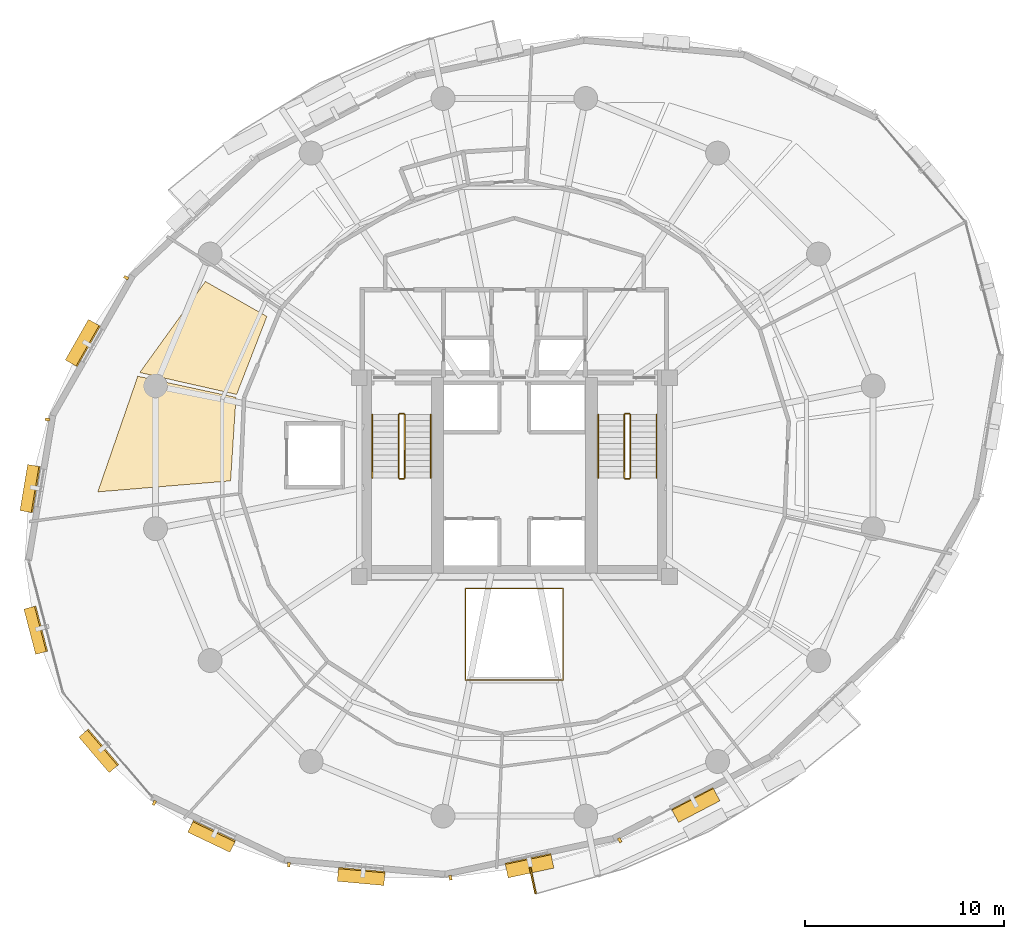
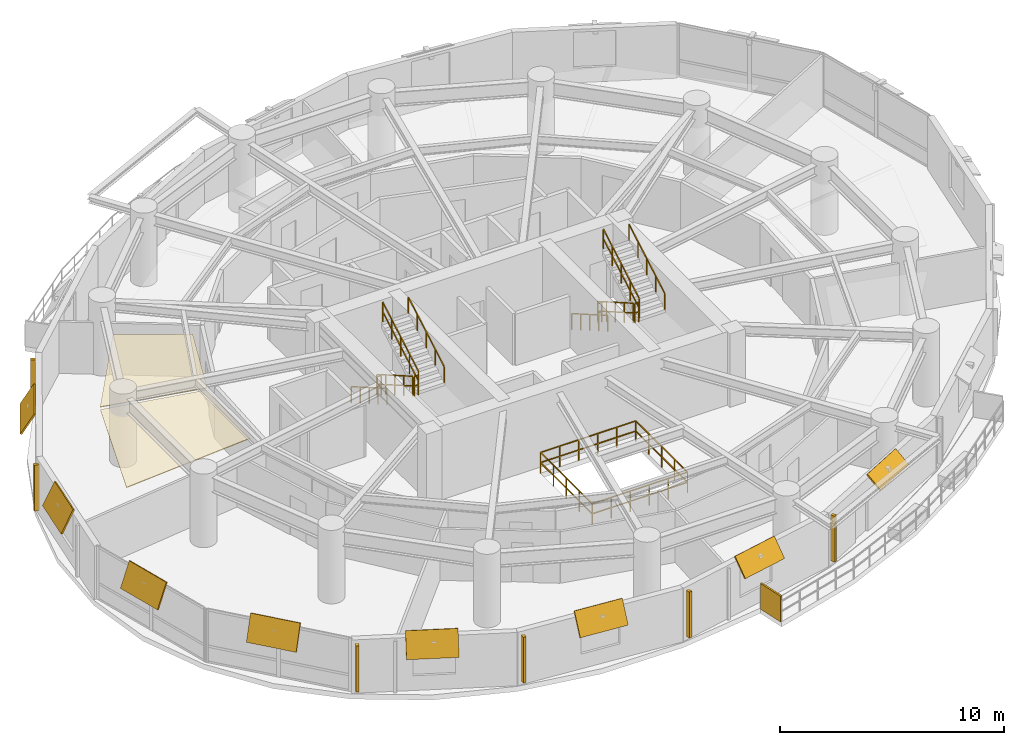
# One storey, part 13 of 14: 15 shading devices, 13 railings, 2 coverings.
"""IFC4 building model written with IfcOpenShell, lengths in metres."""

from ifc_helpers import new_model, si_unit, direction, frame, origin, origin_2d, place, context, subcontext, project, spatial, polyline, rectangle, outline, extrude, material, layer, layer_set, type_object, element, save


model = new_model("IFC4")

# Units and contexts
model_context = context("Model", 3, precision=1e-05, world=origin(), true_north=direction((0.0, 1.0)))
body_context = subcontext(model_context, "Body", "Model", "MODEL_VIEW")
ifc_project = project(units=[si_unit("LENGTHUNIT", "METRE"), si_unit("AREAUNIT", "SQUARE_METRE"), si_unit("VOLUMEUNIT", "CUBIC_METRE"), si_unit("PLANEANGLEUNIT", "RADIAN"), si_unit("MASSUNIT", "GRAM", prefix="KILO"), si_unit("THERMODYNAMICTEMPERATUREUNIT", "KELVIN"), si_unit("POWERUNIT", "WATT")], contexts=[model_context])

# Site, building, storey
site_placement = place(None, origin())
site = spatial("IfcSite", under=ifc_project, at=site_placement, CompositionType="ELEMENT")
building_placement = place(site_placement, origin())
building = spatial("IfcBuilding", under=site, at=building_placement, Name="Ocrelia Relay Tower", CompositionType="ELEMENT")
storey_placement = place(building_placement, frame((0.0, 0.0, 149.800048828125)))
storey = spatial("IfcBuildingStorey", under=building, at=storey_placement, Name="L35", CompositionType="ELEMENT", Elevation=149.800048828125)

# Coverings
ifc_material_1 = material(Name="Cleanroom metal-pan acoustic ceiling", Category="aluminium")
ifc_layer_1 = layer(ifc_material_1, 0.0400390625, Name="Cleanroom metal-pan acoustic ceiling")
ifc_layer_set_1 = layer_set([ifc_layer_1], Name="Cleanroom metal-pan acoustic ceiling")
covering_type = type_object("IfcCoveringType", Name="COV-CEIL-CLEAN", PredefinedType="CEILING", material=ifc_layer_set_1)
covering_1_placement = place(storey_placement, frame((0.0, 0.0, 2.719970703125)))
element("IfcCovering", 1, at=covering_1_placement, inside=storey, type_object=covering_type, Name="L35 Optical Switching Hall A Suspended Ceiling 1", PredefinedType="CEILING", context=body_context, shape_type="SweptSolid", body=[
    extrude(outline(polyline([(21.554931640625, 33.083984375), (18.46337890625, 34.843994140625), (15.160400390625, 30.262939453125), (20.033203125, 29.160400390625), (21.554931640625, 33.083984375)])), origin(), (0.0, 0.0, 1.0), 0.0400390625),
])
covering_2_placement = place(storey_placement, frame((0.0, 0.0, 2.719970703125)))
element("IfcCovering", 2, at=covering_2_placement, inside=storey, type_object=covering_type, Name="L35 Optical Switching Hall A Suspended Ceiling 2", PredefinedType="CEILING", context=body_context, shape_type="SweptSolid", body=[
    extrude(outline(polyline([(20.000732421875, 29.013916015625), (15.06005859375, 30.07763671875), (13.050048828125, 24.25927734375), (19.729248046875, 24.814208984375), (20.000732421875, 29.013916015625)])), origin(), (0.0, 0.0, 1.0), 0.0400390625),
])

# Railings
ifc_material_2 = material(Name="Steel S355 atrium balustrade", Category="steel")
railing_type_1 = type_object("IfcRailingType", Name="RL-INT-GUARD-115", PredefinedType="GUARDRAIL", material=ifc_material_2)
railing_1_placement = place(storey_placement, frame((31.550048828125, 14.800048828125, 0.0)))
element("IfcRailing", 3, at=railing_1_placement, inside=storey, type_object=railing_type_1, Name="L35 Multi-Zone Interior Atrium Guard", PredefinedType="GUARDRAIL", context=body_context, shape_type="SweptSolid", body=[
    extrude(rectangle(XDim=0.048095703125, YDim=0.048095703125, at=origin_2d()), frame((0.0, 0.0, 1.1259765625), z_axis=(1.0, 0.0, 0.0), x_axis=(0.0, 1.0, 0.0)), (0.0, 0.0, 1.0), 4.89990234375),
    extrude(rectangle(XDim=0.048095703125, YDim=0.048095703125, at=origin_2d()), frame((0.0, 0.0, 0.574951171875), z_axis=(1.0, 0.0, 0.0), x_axis=(0.0, 1.0, 0.0)), (0.0, 0.0, 1.0), 4.89990234375),
    extrude(rectangle(XDim=0.048095703125, YDim=0.048095703125, at=origin_2d()), frame((4.89990234375, 0.0, 1.1259765625), z_axis=(0.0, 1.0, 0.0), x_axis=(-1.0, 0.0, 0.0)), (0.0, 0.0, 1.0), 4.599853515625),
    extrude(rectangle(XDim=0.048095703125, YDim=0.048095703125, at=origin_2d()), frame((4.89990234375, 0.0, 0.574951171875), z_axis=(0.0, 1.0, 0.0), x_axis=(-1.0, 0.0, 0.0)), (0.0, 0.0, 1.0), 4.599853515625),
    extrude(rectangle(XDim=0.048095703125, YDim=0.048095703125, at=origin_2d()), frame((4.89990234375, 4.599853515625, 1.1259765625), z_axis=(-1.0, 0.0, 0.0), x_axis=(0.0, -1.0, 0.0)), (0.0, 0.0, 1.0), 4.89990234375),
    extrude(rectangle(XDim=0.048095703125, YDim=0.048095703125, at=origin_2d()), frame((4.89990234375, 4.599853515625, 0.574951171875), z_axis=(-1.0, 0.0, 0.0), x_axis=(0.0, -1.0, 0.0)), (0.0, 0.0, 1.0), 4.89990234375),
    extrude(rectangle(XDim=0.048095703125, YDim=0.048095703125, at=origin_2d()), frame((0.0, 4.599853515625, 1.1259765625), z_axis=(0.0, -1.0, 0.0), x_axis=(1.0, 0.0, 0.0)), (0.0, 0.0, 1.0), 4.599853515625),
    extrude(rectangle(XDim=0.048095703125, YDim=0.048095703125, at=origin_2d()), frame((0.0, 4.599853515625, 0.574951171875), z_axis=(0.0, -1.0, 0.0), x_axis=(1.0, 0.0, 0.0)), (0.0, 0.0, 1.0), 4.599853515625),
    extrude(rectangle(XDim=0.0419921875, YDim=0.0419921875, at=origin_2d()), origin(), (0.0, 0.0, 1.0), 1.101806640625),
    extrude(rectangle(XDim=0.0419921875, YDim=0.0419921875, at=origin_2d()), frame((0.97998046875, 0.0, 0.0)), (0.0, 0.0, 1.0), 1.101806640625),
    extrude(rectangle(XDim=0.0419921875, YDim=0.0419921875, at=origin_2d()), frame((1.9599609375, 0.0, 0.0)), (0.0, 0.0, 1.0), 1.101806640625),
    extrude(rectangle(XDim=0.0419921875, YDim=0.0419921875, at=origin_2d()), frame((2.93994140625, 0.0, 0.0)), (0.0, 0.0, 1.0), 1.101806640625),
    extrude(rectangle(XDim=0.0419921875, YDim=0.0419921875, at=origin_2d()), frame((3.919921875, 0.0, 0.0)), (0.0, 0.0, 1.0), 1.101806640625),
    extrude(rectangle(XDim=0.0419921875, YDim=0.0419921875, at=origin_2d()), frame((4.89990234375, 0.0, 0.0)), (0.0, 0.0, 1.0), 1.101806640625),
    extrude(rectangle(XDim=0.0419921875, YDim=0.0419921875, at=origin_2d()), frame((4.89990234375, 1.14990234375, 0.0)), (0.0, 0.0, 1.0), 1.101806640625),
    extrude(rectangle(XDim=0.0419921875, YDim=0.0419921875, at=origin_2d()), frame((4.89990234375, 2.2998046875, 0.0)), (0.0, 0.0, 1.0), 1.101806640625),
    extrude(rectangle(XDim=0.0419921875, YDim=0.0419921875, at=origin_2d()), frame((4.89990234375, 3.449951171875, 0.0)), (0.0, 0.0, 1.0), 1.101806640625),
    extrude(rectangle(XDim=0.0419921875, YDim=0.0419921875, at=origin_2d()), frame((4.89990234375, 4.599853515625, 0.0)), (0.0, 0.0, 1.0), 1.101806640625),
    extrude(rectangle(XDim=0.0419921875, YDim=0.0419921875, at=origin_2d()), frame((3.919921875, 4.599853515625, 0.0)), (0.0, 0.0, 1.0), 1.101806640625),
    extrude(rectangle(XDim=0.0419921875, YDim=0.0419921875, at=origin_2d()), frame((2.93994140625, 4.599853515625, 0.0)), (0.0, 0.0, 1.0), 1.101806640625),
    extrude(rectangle(XDim=0.0419921875, YDim=0.0419921875, at=origin_2d()), frame((1.9599609375, 4.599853515625, 0.0)), (0.0, 0.0, 1.0), 1.101806640625),
    extrude(rectangle(XDim=0.0419921875, YDim=0.0419921875, at=origin_2d()), frame((0.97998046875, 4.599853515625, 0.0)), (0.0, 0.0, 1.0), 1.101806640625),
    extrude(rectangle(XDim=0.0419921875, YDim=0.0419921875, at=origin_2d()), frame((0.0, 4.599853515625, 0.0)), (0.0, 0.0, 1.0), 1.101806640625),
    extrude(rectangle(XDim=0.0419921875, YDim=0.0419921875, at=origin_2d()), frame((0.0, 3.449951171875, 0.0)), (0.0, 0.0, 1.0), 1.101806640625),
    extrude(rectangle(XDim=0.0419921875, YDim=0.0419921875, at=origin_2d()), frame((0.0, 2.2998046875, 0.0)), (0.0, 0.0, 1.0), 1.101806640625),
    extrude(rectangle(XDim=0.0419921875, YDim=0.0419921875, at=origin_2d()), frame((0.0, 1.14990234375, 0.0)), (0.0, 0.0, 1.0), 1.101806640625),
])
ifc_material_3 = material(Name="Steel S355 balustrade", Category="steel")
railing_type_2 = type_object("IfcRailingType", Name="RL-STAIR-GUARD", PredefinedType="GUARDRAIL", material=ifc_material_3)
railing_2_placement = place(storey_placement, frame((28.179931640625, 28.14990234375, 0.16650390625)))
element("IfcRailing", 4, at=railing_2_placement, inside=storey, type_object=railing_type_2, Name="L35 ST1 stair guard 1", PredefinedType="GUARDRAIL", context=body_context, shape_type="SweptSolid", body=[
    extrude(rectangle(XDim=0.048095703125, YDim=0.048095703125, at=origin_2d()), frame((0.0, 0.0, 1.076171875), z_axis=(0.0, -0.86699087805, 0.498324008431), x_axis=(1.0, 0.0, 0.0)), (0.0, 0.0, 1.0), 3.679443359375),
    extrude(rectangle(XDim=0.048095703125, YDim=0.048095703125, at=origin_2d()), frame((0.0, 0.0, 0.550048828125), z_axis=(0.0, -0.86699087805, 0.498324008431), x_axis=(1.0, 0.0, 0.0)), (0.0, 0.0, 1.0), 3.679443359375),
    extrude(rectangle(XDim=0.0419921875, YDim=0.0419921875, at=origin_2d()), origin(), (0.0, 0.0, 1.0), 1.052001953125),
    extrude(rectangle(XDim=0.0419921875, YDim=0.0419921875, at=origin_2d()), frame((0.0, -0.79736328125, 0.45849609375)), (0.0, 0.0, 1.0), 1.052001953125),
    extrude(rectangle(XDim=0.0419921875, YDim=0.0419921875, at=origin_2d()), frame((0.0, -1.594970703125, 0.916748046875)), (0.0, 0.0, 1.0), 1.052001953125),
    extrude(rectangle(XDim=0.0419921875, YDim=0.0419921875, at=origin_2d()), frame((0.0, -2.392578125, 1.375)), (0.0, 0.0, 1.0), 1.052001953125),
    extrude(rectangle(XDim=0.0419921875, YDim=0.0419921875, at=origin_2d()), frame((0.0, -3.18994140625, 1.83349609375)), (0.0, 0.0, 1.0), 1.052001953125),
])
railing_3_placement = place(storey_placement, frame((28.22998046875, 24.909912109375, 2.0)))
element("IfcRailing", 5, at=railing_3_placement, inside=storey, type_object=railing_type_2, Name="L35 ST1 stair guard 2", PredefinedType="GUARDRAIL", context=body_context, shape_type="SweptSolid", body=[
    extrude(rectangle(XDim=0.048095703125, YDim=0.048095703125, at=origin_2d()), frame((0.0, 0.0, 1.076171875), z_axis=(1.0, 0.0, 0.0), x_axis=(0.0, 1.0, 0.0)), (0.0, 0.0, 1.0), 0.199951171875),
    extrude(rectangle(XDim=0.048095703125, YDim=0.048095703125, at=origin_2d()), frame((0.0, 0.0, 0.550048828125), z_axis=(1.0, 0.0, 0.0), x_axis=(0.0, 1.0, 0.0)), (0.0, 0.0, 1.0), 0.199951171875),
    extrude(rectangle(XDim=0.0419921875, YDim=0.0419921875, at=origin_2d()), origin(), (0.0, 0.0, 1.0), 1.052001953125),
    extrude(rectangle(XDim=0.0419921875, YDim=0.0419921875, at=origin_2d()), frame((0.199951171875, 0.0, 0.0)), (0.0, 0.0, 1.0), 1.052001953125),
])
railing_4_placement = place(storey_placement, frame((28.47998046875, 24.9599609375, 2.16650390625)))
element("IfcRailing", 6, at=railing_4_placement, inside=storey, type_object=railing_type_2, Name="L35 ST1 stair guard 3", PredefinedType="GUARDRAIL", context=body_context, shape_type="SweptSolid", body=[
    extrude(rectangle(XDim=0.048095703125, YDim=0.048095703125, at=origin_2d()), frame((0.0, 0.0, 1.076171875), z_axis=(0.0, 0.86699087805, 0.498324008431), x_axis=(-1.0, 0.0, 0.0)), (0.0, 0.0, 1.0), 3.679443359375),
    extrude(rectangle(XDim=0.048095703125, YDim=0.048095703125, at=origin_2d()), frame((0.0, 0.0, 0.550048828125), z_axis=(0.0, 0.86699087805, 0.498324008431), x_axis=(-1.0, 0.0, 0.0)), (0.0, 0.0, 1.0), 3.679443359375),
    extrude(rectangle(XDim=0.0419921875, YDim=0.0419921875, at=origin_2d()), origin(), (0.0, 0.0, 1.0), 1.052001953125),
    extrude(rectangle(XDim=0.0419921875, YDim=0.0419921875, at=origin_2d()), frame((0.0, 0.79736328125, 0.45849609375)), (0.0, 0.0, 1.0), 1.052001953125),
    extrude(rectangle(XDim=0.0419921875, YDim=0.0419921875, at=origin_2d()), frame((0.0, 1.594970703125, 0.916748046875)), (0.0, 0.0, 1.0), 1.052001953125),
    extrude(rectangle(XDim=0.0419921875, YDim=0.0419921875, at=origin_2d()), frame((0.0, 2.392578125, 1.375)), (0.0, 0.0, 1.0), 1.052001953125),
    extrude(rectangle(XDim=0.0419921875, YDim=0.0419921875, at=origin_2d()), frame((0.0, 3.18994140625, 1.83349609375)), (0.0, 0.0, 1.0), 1.052001953125),
])
railing_5_placement = place(storey_placement, frame((28.22998046875, 28.199951171875, 0.0)))
element("IfcRailing", 7, at=railing_5_placement, inside=storey, type_object=railing_type_2, Name="L35 ST1 stair guard 4", PredefinedType="GUARDRAIL", context=body_context, shape_type="SweptSolid", body=[
    extrude(rectangle(XDim=0.048095703125, YDim=0.048095703125, at=origin_2d()), frame((0.0, 0.0, 1.076171875), z_axis=(1.0, 0.0, 0.0), x_axis=(0.0, 1.0, 0.0)), (0.0, 0.0, 1.0), 0.199951171875),
    extrude(rectangle(XDim=0.048095703125, YDim=0.048095703125, at=origin_2d()), frame((0.0, 0.0, 0.550048828125), z_axis=(1.0, 0.0, 0.0), x_axis=(0.0, 1.0, 0.0)), (0.0, 0.0, 1.0), 0.199951171875),
    extrude(rectangle(XDim=0.0419921875, YDim=0.0419921875, at=origin_2d()), origin(), (0.0, 0.0, 1.0), 1.052001953125),
    extrude(rectangle(XDim=0.0419921875, YDim=0.0419921875, at=origin_2d()), frame((0.199951171875, 0.0, 0.0)), (0.0, 0.0, 1.0), 1.052001953125),
])
railing_6_placement = place(storey_placement, frame((39.530029296875, 28.14990234375, 0.16650390625)))
element("IfcRailing", 8, at=railing_6_placement, inside=storey, type_object=railing_type_2, Name="L35 ST2 stair guard 1", PredefinedType="GUARDRAIL", context=body_context, shape_type="SweptSolid", body=[
    extrude(rectangle(XDim=0.048095703125, YDim=0.048095703125, at=origin_2d()), frame((0.0, 0.0, 1.076171875), z_axis=(0.0, -0.86699087805, 0.498324008431), x_axis=(1.0, 0.0, 0.0)), (0.0, 0.0, 1.0), 3.679443359375),
    extrude(rectangle(XDim=0.048095703125, YDim=0.048095703125, at=origin_2d()), frame((0.0, 0.0, 0.550048828125), z_axis=(0.0, -0.86699087805, 0.498324008431), x_axis=(1.0, 0.0, 0.0)), (0.0, 0.0, 1.0), 3.679443359375),
    extrude(rectangle(XDim=0.0419921875, YDim=0.0419921875, at=origin_2d()), origin(), (0.0, 0.0, 1.0), 1.052001953125),
    extrude(rectangle(XDim=0.0419921875, YDim=0.0419921875, at=origin_2d()), frame((0.0, -0.79736328125, 0.45849609375)), (0.0, 0.0, 1.0), 1.052001953125),
    extrude(rectangle(XDim=0.0419921875, YDim=0.0419921875, at=origin_2d()), frame((0.0, -1.594970703125, 0.916748046875)), (0.0, 0.0, 1.0), 1.052001953125),
    extrude(rectangle(XDim=0.0419921875, YDim=0.0419921875, at=origin_2d()), frame((0.0, -2.392578125, 1.375)), (0.0, 0.0, 1.0), 1.052001953125),
    extrude(rectangle(XDim=0.0419921875, YDim=0.0419921875, at=origin_2d()), frame((0.0, -3.18994140625, 1.83349609375)), (0.0, 0.0, 1.0), 1.052001953125),
])
railing_7_placement = place(storey_placement, frame((39.580078125, 24.909912109375, 2.0)))
element("IfcRailing", 9, at=railing_7_placement, inside=storey, type_object=railing_type_2, Name="L35 ST2 stair guard 2", PredefinedType="GUARDRAIL", context=body_context, shape_type="SweptSolid", body=[
    extrude(rectangle(XDim=0.048095703125, YDim=0.048095703125, at=origin_2d()), frame((0.0, 0.0, 1.076171875), z_axis=(1.0, 0.0, 0.0), x_axis=(0.0, 1.0, 0.0)), (0.0, 0.0, 1.0), 0.199951171875),
    extrude(rectangle(XDim=0.048095703125, YDim=0.048095703125, at=origin_2d()), frame((0.0, 0.0, 0.550048828125), z_axis=(1.0, 0.0, 0.0), x_axis=(0.0, 1.0, 0.0)), (0.0, 0.0, 1.0), 0.199951171875),
    extrude(rectangle(XDim=0.0419921875, YDim=0.0419921875, at=origin_2d()), origin(), (0.0, 0.0, 1.0), 1.052001953125),
    extrude(rectangle(XDim=0.0419921875, YDim=0.0419921875, at=origin_2d()), frame((0.199951171875, 0.0, 0.0)), (0.0, 0.0, 1.0), 1.052001953125),
])
railing_8_placement = place(storey_placement, frame((39.830078125, 24.9599609375, 2.16650390625)))
element("IfcRailing", 10, at=railing_8_placement, inside=storey, type_object=railing_type_2, Name="L35 ST2 stair guard 3", PredefinedType="GUARDRAIL", context=body_context, shape_type="SweptSolid", body=[
    extrude(rectangle(XDim=0.048095703125, YDim=0.048095703125, at=origin_2d()), frame((0.0, 0.0, 1.076171875), z_axis=(0.0, 0.86699087805, 0.498324008431), x_axis=(-1.0, 0.0, 0.0)), (0.0, 0.0, 1.0), 3.679443359375),
    extrude(rectangle(XDim=0.048095703125, YDim=0.048095703125, at=origin_2d()), frame((0.0, 0.0, 0.550048828125), z_axis=(0.0, 0.86699087805, 0.498324008431), x_axis=(-1.0, 0.0, 0.0)), (0.0, 0.0, 1.0), 3.679443359375),
    extrude(rectangle(XDim=0.0419921875, YDim=0.0419921875, at=origin_2d()), origin(), (0.0, 0.0, 1.0), 1.052001953125),
    extrude(rectangle(XDim=0.0419921875, YDim=0.0419921875, at=origin_2d()), frame((0.0, 0.79736328125, 0.45849609375)), (0.0, 0.0, 1.0), 1.052001953125),
    extrude(rectangle(XDim=0.0419921875, YDim=0.0419921875, at=origin_2d()), frame((0.0, 1.594970703125, 0.916748046875)), (0.0, 0.0, 1.0), 1.052001953125),
    extrude(rectangle(XDim=0.0419921875, YDim=0.0419921875, at=origin_2d()), frame((0.0, 2.392578125, 1.375)), (0.0, 0.0, 1.0), 1.052001953125),
    extrude(rectangle(XDim=0.0419921875, YDim=0.0419921875, at=origin_2d()), frame((0.0, 3.18994140625, 1.83349609375)), (0.0, 0.0, 1.0), 1.052001953125),
])
railing_9_placement = place(storey_placement, frame((39.580078125, 28.199951171875, 0.0)))
element("IfcRailing", 11, at=railing_9_placement, inside=storey, type_object=railing_type_2, Name="L35 ST2 stair guard 4", PredefinedType="GUARDRAIL", context=body_context, shape_type="SweptSolid", body=[
    extrude(rectangle(XDim=0.048095703125, YDim=0.048095703125, at=origin_2d()), frame((0.0, 0.0, 1.076171875), z_axis=(1.0, 0.0, 0.0), x_axis=(0.0, 1.0, 0.0)), (0.0, 0.0, 1.0), 0.199951171875),
    extrude(rectangle(XDim=0.048095703125, YDim=0.048095703125, at=origin_2d()), frame((0.0, 0.0, 0.550048828125), z_axis=(1.0, 0.0, 0.0), x_axis=(0.0, 1.0, 0.0)), (0.0, 0.0, 1.0), 0.199951171875),
    extrude(rectangle(XDim=0.0419921875, YDim=0.0419921875, at=origin_2d()), origin(), (0.0, 0.0, 1.0), 1.052001953125),
    extrude(rectangle(XDim=0.0419921875, YDim=0.0419921875, at=origin_2d()), frame((0.199951171875, 0.0, 0.0)), (0.0, 0.0, 1.0), 1.052001953125),
])
ifc_material_4 = material(Name="Steel S355 tubular handrail", Category="steel")
railing_type_3 = type_object("IfcRailingType", Name="RL-STAIR-HAND", PredefinedType="HANDRAIL", material=ifc_material_4)
railing_10_placement = place(storey_placement, frame((26.860107421875, 28.14990234375, 0.16650390625)))
element("IfcRailing", 12, at=railing_10_placement, inside=storey, type_object=railing_type_3, Name="L35 ST1 stair handrail 1", PredefinedType="HANDRAIL", context=body_context, shape_type="SweptSolid", body=[
    extrude(rectangle(XDim=0.048095703125, YDim=0.048095703125, at=origin_2d()), frame((0.0, 0.0, 0.8759765625), z_axis=(0.0, -0.86699087805, 0.498324008431), x_axis=(1.0, 0.0, 0.0)), (0.0, 0.0, 1.0), 3.679443359375),
    extrude(rectangle(XDim=0.0419921875, YDim=0.0419921875, at=origin_2d()), origin(), (0.0, 0.0, 1.0), 0.851806640625),
    extrude(rectangle(XDim=0.0419921875, YDim=0.0419921875, at=origin_2d()), frame((0.0, -0.79736328125, 0.45849609375)), (0.0, 0.0, 1.0), 0.851806640625),
    extrude(rectangle(XDim=0.0419921875, YDim=0.0419921875, at=origin_2d()), frame((0.0, -1.594970703125, 0.916748046875)), (0.0, 0.0, 1.0), 0.851806640625),
    extrude(rectangle(XDim=0.0419921875, YDim=0.0419921875, at=origin_2d()), frame((0.0, -2.392578125, 1.375)), (0.0, 0.0, 1.0), 0.851806640625),
    extrude(rectangle(XDim=0.0419921875, YDim=0.0419921875, at=origin_2d()), frame((0.0, -3.18994140625, 1.83349609375)), (0.0, 0.0, 1.0), 0.851806640625),
])
railing_11_placement = place(storey_placement, frame((29.800048828125, 24.9599609375, 2.16650390625)))
element("IfcRailing", 13, at=railing_11_placement, inside=storey, type_object=railing_type_3, Name="L35 ST1 stair handrail 2", PredefinedType="HANDRAIL", context=body_context, shape_type="SweptSolid", body=[
    extrude(rectangle(XDim=0.048095703125, YDim=0.048095703125, at=origin_2d()), frame((0.0, 0.0, 0.8759765625), z_axis=(0.0, 0.86699087805, 0.498324008431), x_axis=(-1.0, 0.0, 0.0)), (0.0, 0.0, 1.0), 3.679443359375),
    extrude(rectangle(XDim=0.0419921875, YDim=0.0419921875, at=origin_2d()), origin(), (0.0, 0.0, 1.0), 0.851806640625),
    extrude(rectangle(XDim=0.0419921875, YDim=0.0419921875, at=origin_2d()), frame((0.0, 0.79736328125, 0.45849609375)), (0.0, 0.0, 1.0), 0.851806640625),
    extrude(rectangle(XDim=0.0419921875, YDim=0.0419921875, at=origin_2d()), frame((0.0, 1.594970703125, 0.916748046875)), (0.0, 0.0, 1.0), 0.851806640625),
    extrude(rectangle(XDim=0.0419921875, YDim=0.0419921875, at=origin_2d()), frame((0.0, 2.392578125, 1.375)), (0.0, 0.0, 1.0), 0.851806640625),
    extrude(rectangle(XDim=0.0419921875, YDim=0.0419921875, at=origin_2d()), frame((0.0, 3.18994140625, 1.83349609375)), (0.0, 0.0, 1.0), 0.851806640625),
])
railing_12_placement = place(storey_placement, frame((38.2099609375, 28.14990234375, 0.16650390625)))
element("IfcRailing", 14, at=railing_12_placement, inside=storey, type_object=railing_type_3, Name="L35 ST2 stair handrail 1", PredefinedType="HANDRAIL", context=body_context, shape_type="SweptSolid", body=[
    extrude(rectangle(XDim=0.048095703125, YDim=0.048095703125, at=origin_2d()), frame((0.0, 0.0, 0.8759765625), z_axis=(0.0, -0.86699087805, 0.498324008431), x_axis=(1.0, 0.0, 0.0)), (0.0, 0.0, 1.0), 3.679443359375),
    extrude(rectangle(XDim=0.0419921875, YDim=0.0419921875, at=origin_2d()), origin(), (0.0, 0.0, 1.0), 0.851806640625),
    extrude(rectangle(XDim=0.0419921875, YDim=0.0419921875, at=origin_2d()), frame((0.0, -0.79736328125, 0.45849609375)), (0.0, 0.0, 1.0), 0.851806640625),
    extrude(rectangle(XDim=0.0419921875, YDim=0.0419921875, at=origin_2d()), frame((0.0, -1.594970703125, 0.916748046875)), (0.0, 0.0, 1.0), 0.851806640625),
    extrude(rectangle(XDim=0.0419921875, YDim=0.0419921875, at=origin_2d()), frame((0.0, -2.392578125, 1.375)), (0.0, 0.0, 1.0), 0.851806640625),
    extrude(rectangle(XDim=0.0419921875, YDim=0.0419921875, at=origin_2d()), frame((0.0, -3.18994140625, 1.83349609375)), (0.0, 0.0, 1.0), 0.851806640625),
])
railing_13_placement = place(storey_placement, frame((41.14990234375, 24.9599609375, 2.16650390625)))
element("IfcRailing", 15, at=railing_13_placement, inside=storey, type_object=railing_type_3, Name="L35 ST2 stair handrail 2", PredefinedType="HANDRAIL", context=body_context, shape_type="SweptSolid", body=[
    extrude(rectangle(XDim=0.048095703125, YDim=0.048095703125, at=origin_2d()), frame((0.0, 0.0, 0.8759765625), z_axis=(0.0, 0.86699087805, 0.498324008431), x_axis=(-1.0, 0.0, 0.0)), (0.0, 0.0, 1.0), 3.679443359375),
    extrude(rectangle(XDim=0.0419921875, YDim=0.0419921875, at=origin_2d()), origin(), (0.0, 0.0, 1.0), 0.851806640625),
    extrude(rectangle(XDim=0.0419921875, YDim=0.0419921875, at=origin_2d()), frame((0.0, 0.79736328125, 0.45849609375)), (0.0, 0.0, 1.0), 0.851806640625),
    extrude(rectangle(XDim=0.0419921875, YDim=0.0419921875, at=origin_2d()), frame((0.0, 1.594970703125, 0.916748046875)), (0.0, 0.0, 1.0), 0.851806640625),
    extrude(rectangle(XDim=0.0419921875, YDim=0.0419921875, at=origin_2d()), frame((0.0, 2.392578125, 1.375)), (0.0, 0.0, 1.0), 0.851806640625),
    extrude(rectangle(XDim=0.0419921875, YDim=0.0419921875, at=origin_2d()), frame((0.0, 3.18994140625, 1.83349609375)), (0.0, 0.0, 1.0), 0.851806640625),
])

# Shading devices
ifc_material_5 = material(Name="Perforated oxide terracotta solar screen", Category="masonry")
ifc_layer_2 = layer(ifc_material_5, 0.090087890625, Name="Perforated oxide terracotta solar screen")
ifc_layer_set_2 = layer_set([ifc_layer_2], Name="Perforated oxide terracotta solar screen")
shading_device_type_1 = type_object("IfcShadingDeviceType", Name="SH-BALC-SCREEN", PredefinedType="USERDEFINED", material=ifc_layer_set_2)
shading_device_1_placement = place(storey_placement, frame((34.931884765625, 4.711181640625, 0.0), z_axis=(0.0, 0.0, 1.0), x_axis=(0.206097278557, -0.978531507807, 0.0)))
element("IfcShadingDevice", 16, at=shading_device_1_placement, inside=storey, type_object=shading_device_type_1, Name="L35 Balcony Perforated Terracotta Screen B2-1", ObjectType="SCREEN", PredefinedType="USERDEFINED", context=body_context, shape_type="SweptSolid", body=[
    extrude(rectangle(XDim=1.340087890625, YDim=0.090087890625, at=origin_2d()), origin(), (0.0, 0.0, 1.0), 1.39990234375),
])
ifc_material_6 = material(Name="Extruded oxide terracotta vertical baguette", Category="masonry")
shading_device_type_2 = type_object("IfcShadingDeviceType", Name="SH-TERR-BAGUETTE", PredefinedType="USERDEFINED", material=ifc_material_6)
for number, where, z_axis, x_axis, name in (
    (17, (14.481689453125, 35.034912109375, 0.199951171875), (0.0, 0.0, 1.0), (-0.495938045416, -0.868357907265, 0.0), "L35 Oxide Terracotta Vertical Baguette 07"),
    (18, (10.519287109375, 27.900634765625, 0.199951171875), (0.0, 0.0, 1.0), (-0.16452198245, -0.98637341676, 0.0), "L35 Oxide Terracotta Vertical Baguette 08"),
    (19, (15.89013671875, 8.619140625, 0.199951171875), (0.0, 0.0, 1.0), (0.903106968041, -0.429415654438, 0.0), "L35 Oxide Terracotta Vertical Baguette 11"),
    (20, (22.658447265625, 5.5087890625, 0.199951171875), (0.0, 0.0, 1.0), (0.995934616408, -0.090079075481, 0.0), "L35 Oxide Terracotta Vertical Baguette 12"),
    (21, (30.784912109375, 4.85498046875, 0.199951171875), (0.0, 0.0, 1.0), (0.978223769101, 0.207553023506, 0.0), "L35 Oxide Terracotta Vertical Baguette 13"),
    (22, (39.3056640625, 6.737548828125, 0.199951171875), (0.0, 0.0, 1.0), (0.886606103759, 0.462525260691, 0.0), "L35 Oxide Terracotta Vertical Baguette 14"),
):
    element("IfcShadingDevice", number, at=place(storey_placement, frame(where, z_axis=z_axis, x_axis=x_axis)), inside=storey, type_object=shading_device_type_2, Name=name, ObjectType="BAGUETTE", PredefinedType="USERDEFINED", context=body_context, shape_type="SweptSolid", body=[
        extrude(rectangle(XDim=0.139892578125, YDim=0.239990234375, at=origin_2d()), origin(), (0.0, 0.0, 1.0), 2.5),
    ])
ifc_material_7 = material(Name="Extruded oxide terracotta fin", Category="masonry")
ifc_layer_3 = layer(ifc_material_7, 0.080078125, Name="Extruded oxide terracotta fin")
ifc_layer_set_3 = layer_set([ifc_layer_3], Name="Extruded oxide terracotta fin")
shading_device_type_3 = type_object("IfcShadingDeviceType", Name="SH-VISOR-FIN-DEEP", PredefinedType="USERDEFINED", material=ifc_layer_set_3)
shading_device_2_placement = place(storey_placement, frame((12.328369140625, 31.72802734375, 2.72021484375), z_axis=(-0.755257274964, 0.431343819867, 0.493486532416), x_axis=(-0.495938045416, -0.868357907265, 0.0)))
element("IfcShadingDevice", 23, at=shading_device_2_placement, inside=storey, type_object=shading_device_type_3, Name="L35 Canted Terracotta Sun-Visor Fin 07", ObjectType="FIN", PredefinedType="USERDEFINED", context=body_context, shape_type="SweptSolid", body=[
    extrude(rectangle(XDim=2.35009765625, YDim=1.257080078125, at=origin_2d()), origin(), (0.0, 0.0, 1.0), 0.080078125),
])
shading_device_3_placement = place(storey_placement, frame((9.684814453125, 24.418212890625, 2.72265625), z_axis=(-0.889245871401, 0.148321610419, 0.43271524133), x_axis=(-0.16452198245, -0.98637341676, 0.0)))
element("IfcShadingDevice", 24, at=shading_device_3_placement, inside=storey, type_object=shading_device_type_3, Name="L35 Canted Terracotta Sun-Visor Fin 08", ObjectType="FIN", PredefinedType="USERDEFINED", context=body_context, shape_type="SweptSolid", body=[
    extrude(rectangle(XDim=2.35009765625, YDim=1.322998046875, at=origin_2d()), origin(), (0.0, 0.0, 1.0), 0.080078125),
])
shading_device_4_placement = place(storey_placement, frame((9.966796875, 17.31494140625, 2.7236328125), z_axis=(-0.883438060022, -0.229789967644, 0.408330460381), x_axis=(0.251732432216, -0.967796870511, 0.0)))
element("IfcShadingDevice", 25, at=shading_device_4_placement, inside=storey, type_object=shading_device_type_3, Name="L35 Canted Terracotta Sun-Visor Fin 09", ObjectType="FIN", PredefinedType="USERDEFINED", context=body_context, shape_type="SweptSolid", body=[
    extrude(rectangle(XDim=2.35009765625, YDim=1.347900390625, at=origin_2d()), origin(), (0.0, 0.0, 1.0), 0.080078125),
])
shading_device_5_placement = place(storey_placement, frame((13.12744140625, 11.259033203125, 2.723388671875), z_axis=(-0.69239808785, -0.591770377825, 0.412786516097), x_axis=(0.649706095868, -0.760185496436, 0.0)))
element("IfcShadingDevice", 26, at=shading_device_5_placement, inside=storey, type_object=shading_device_type_3, Name="L35 Canted Terracotta Sun-Visor Fin 10", ObjectType="FIN", PredefinedType="USERDEFINED", context=body_context, shape_type="SweptSolid", body=[
    extrude(rectangle(XDim=2.35009765625, YDim=1.343994140625, at=origin_2d()), origin(), (0.0, 0.0, 1.0), 0.080078125),
])
shading_device_6_placement = place(storey_placement, frame((18.793212890625, 6.966064453125, 2.72216796875), z_axis=(-0.384298824567, -0.808221457902, 0.44619781311), x_axis=(0.903106968041, -0.429415654438, 0.0)))
element("IfcShadingDevice", 27, at=shading_device_6_placement, inside=storey, type_object=shading_device_type_3, Name="L35 Canted Terracotta Sun-Visor Fin 11", ObjectType="FIN", PredefinedType="USERDEFINED", context=body_context, shape_type="SweptSolid", body=[
    extrude(rectangle(XDim=2.35009765625, YDim=1.30810546875, at=origin_2d()), origin(), (0.0, 0.0, 1.0), 0.080078125),
])
shading_device_7_placement = place(storey_placement, frame((26.301025390625, 4.95458984375, 2.719482421875), z_axis=(-0.077204739496, -0.853593048161, 0.515187670981), x_axis=(0.995934616408, -0.090079075481, 0.0)))
element("IfcShadingDevice", 28, at=shading_device_7_placement, inside=storey, type_object=shading_device_type_3, Name="L35 Canted Terracotta Sun-Visor Fin 12", ObjectType="FIN", PredefinedType="USERDEFINED", context=body_context, shape_type="SweptSolid", body=[
    extrude(rectangle(XDim=2.35009765625, YDim=1.23291015625, at=origin_2d()), origin(), (0.0, 0.0, 1.0), 0.080078125),
])
ifc_layer_4 = layer(ifc_material_7, 0.080078125, Name="Extruded oxide terracotta fin")
ifc_layer_set_4 = layer_set([ifc_layer_4], Name="Extruded oxide terracotta fin")
shading_device_type_4 = type_object("IfcShadingDeviceType", Name="SH-VISOR-FIN-MED", PredefinedType="USERDEFINED", material=ifc_layer_set_4)
shading_device_8_placement = place(storey_placement, frame((34.755126953125, 5.49169921875, 2.715087890625), z_axis=(0.162048616411, -0.76375571719, 0.624833938242), x_axis=(0.978223769101, 0.207553023506, 0.0)))
element("IfcShadingDevice", 29, at=shading_device_8_placement, inside=storey, type_object=shading_device_type_4, Name="L35 Canted Terracotta Sun-Visor Fin 13", ObjectType="FIN", PredefinedType="USERDEFINED", context=body_context, shape_type="SweptSolid", body=[
    extrude(rectangle(XDim=2.35009765625, YDim=1.10498046875, at=origin_2d()), origin(), (0.0, 0.0, 1.0), 0.080078125),
])
shading_device_9_placement = place(storey_placement, frame((43.110107421875, 8.536376953125, 2.709716796875), z_axis=(0.303017174854, -0.580848008967, 0.755510544084), x_axis=(0.886606103759, 0.462525260691, 0.0)))
element("IfcShadingDevice", 30, at=shading_device_9_placement, inside=storey, type_object=shading_device_type_4, Name="L35 Canted Terracotta Sun-Visor Fin 14", ObjectType="FIN", PredefinedType="USERDEFINED", context=body_context, shape_type="SweptSolid", body=[
    extrude(rectangle(XDim=2.35009765625, YDim=0.931884765625, at=origin_2d()), origin(), (0.0, 0.0, 1.0), 0.080078125),
])

save(model, "model.ifc")
